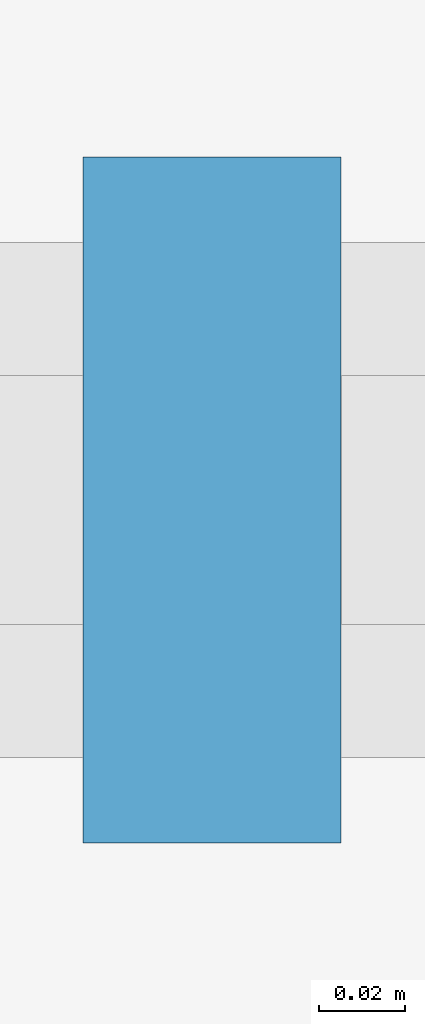
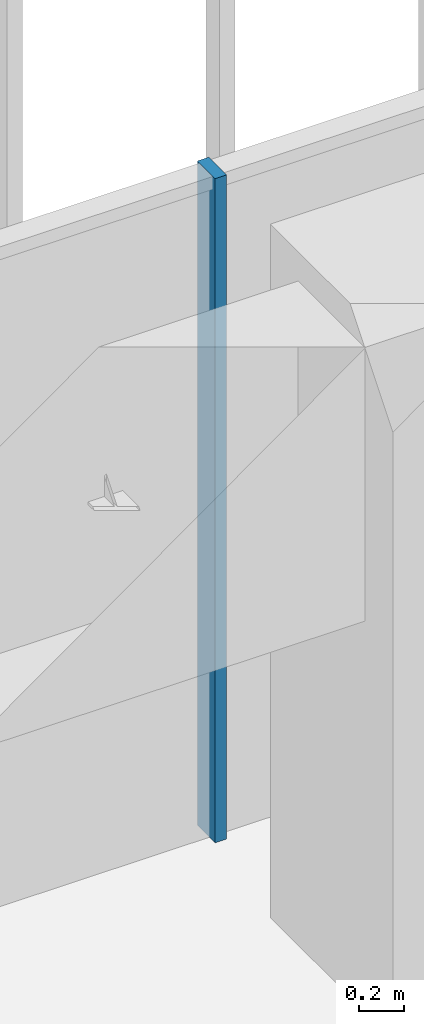
# One storey, part 73 of 127: 1 member, 1 element without a shape of its own.
"""IFC4 building model written with IfcOpenShell, lengths in metres."""

from ifc_helpers import new_model, si_unit, direction, frame, origin, origin_2d, place, context, subcontext, project, spatial, rectangle, extrude, material, material_profile, profile_set, type_object, element, aggregate, save


model = new_model("IFC4")

# Units and contexts
model_context = context("Model", 3, precision=1e-05, world=origin(), true_north=direction((0.0, 1.0)))
body_context = subcontext(model_context, "Body", "Model", "MODEL_VIEW")
ifc_project = project(units=[si_unit("LENGTHUNIT", "METRE"), si_unit("AREAUNIT", "SQUARE_METRE"), si_unit("VOLUMEUNIT", "CUBIC_METRE"), si_unit("PLANEANGLEUNIT", "RADIAN"), si_unit("MASSUNIT", "GRAM", prefix="KILO")], contexts=[model_context])

# Site, building, storey
site_placement = place(None, origin())
site = spatial("IfcSite", under=ifc_project, at=site_placement, CompositionType="ELEMENT")
building_placement = place(site_placement, origin())
building = spatial("IfcBuilding", under=site, at=building_placement, Name="Sandreach Pilgrim Tower", CompositionType="ELEMENT")
storey_placement = place(building_placement, frame((0.0, 0.0, 257.0)))
storey = spatial("IfcBuildingStorey", under=building, at=storey_placement, Name="L64", CompositionType="ELEMENT", Elevation=257.0)

# Curtain wall, member
ifc_material_1 = material(Name="Aluminium framed curtain wall", Category="aluminium")
curtain_wall_type = type_object("IfcCurtainWallType", Name="Suite tower curtain wall", PredefinedType="NOTDEFINED", material=ifc_material_1)
curtain_wall_placement = place(storey_placement, origin())
curtain_wall = element("IfcCurtainWall", 1, at=curtain_wall_placement, inside=storey, type_object=curtain_wall_type, Name="CW-4 L64 N", PredefinedType="NOTDEFINED")
ifc_material_2 = material(Name="Aluminium extrusion", Category="aluminium")
ifc_material_profile = material_profile(ifc_material_2, rectangle(XDim=0.06005859375, YDim=0.159912109375, at=origin_2d()), Name="CW-4M 60X160")
ifc_profile_set = profile_set([ifc_material_profile], Name="Aluminium extrusion")
member_type = type_object("IfcMemberType", Name="CW-4 mullion", PredefinedType="MULLION", material=ifc_profile_set)
member_placement = place(storey_placement, frame((-9.0546875, 19.826416015625, 0.0), z_axis=(0.0, 0.0, 1.0), x_axis=(1.0, 0.0, 0.0)))
member = element("IfcMember", 2, at=member_placement, type_object=member_type, Name="CW-4 mullion 3", PredefinedType="MULLION", context=body_context, shape_type="SweptSolid", body=[
    extrude(rectangle(XDim=0.06005859375, YDim=0.159912109375, at=origin_2d()), origin(), (0.0, 0.0, 1.0), 3.639892578125),
])
aggregate(curtain_wall, [member])

save(model, "model.ifc")
